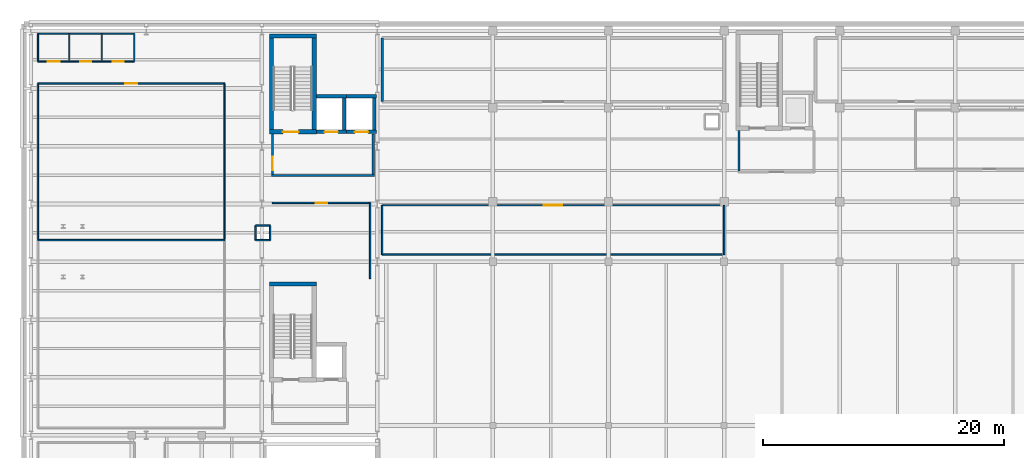
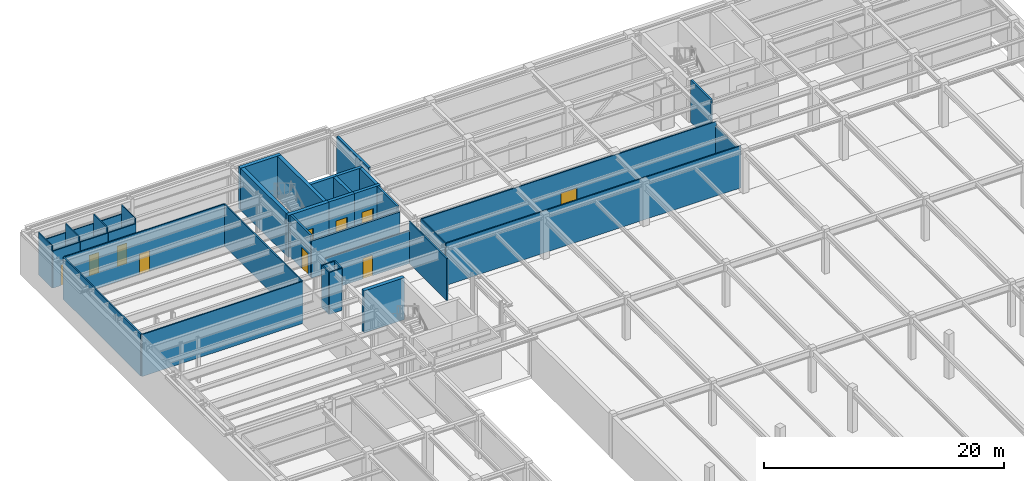
# One storey, part 22 of 32: 40 walls, 10 doors, 10 openings.
"""IFC4 building model written with IfcOpenShell, lengths in metres."""

from ifc_helpers import new_model, si_unit, direction, frame, frame_2d, origin, place, context, subcontext, project, spatial, rectangle, extrude, material, layer, layer_set, type_object, element, fill, save


model = new_model("IFC4")

# Units and contexts
model_context = context("Model", 3, precision=1e-05, world=origin(), true_north=direction((0.0, 1.0)))
body_context = subcontext(model_context, "Body", "Model", "MODEL_VIEW")
ifc_project = project(units=[si_unit("LENGTHUNIT", "METRE"), si_unit("AREAUNIT", "SQUARE_METRE"), si_unit("VOLUMEUNIT", "CUBIC_METRE"), si_unit("PLANEANGLEUNIT", "RADIAN"), si_unit("MASSUNIT", "GRAM", prefix="KILO")], contexts=[model_context])

# Site, building, storey
site_placement = place(None, origin())
site = spatial("IfcSite", under=ifc_project, at=site_placement, CompositionType="ELEMENT")
building_placement = place(site_placement, origin())
building = spatial("IfcBuilding", under=site, at=building_placement, Name="Nordkorset Police Headquarters", CompositionType="ELEMENT")
storey_placement = place(building_placement, frame((0.0, 0.0, -4.550048828125)))
storey = spatial("IfcBuildingStorey", under=building, at=storey_placement, Name="B01", CompositionType="ELEMENT", Elevation=-4.550048828125)

# Wall
ifc_material_1 = material(Name="Gypsum board", Category="gypsum")
ifc_layer_1 = layer(ifc_material_1, 0.179931640625, Name="Gypsum board")
ifc_layer_set_1 = layer_set([ifc_layer_1], Name="Gypsum board")
wall_type_1 = type_object("IfcWallType", Name="Wall_Comp_180", PredefinedType="PARTITIONING", material=ifc_layer_set_1)
wall_1_placement = place(storey_placement, frame((20.0, 104.760009765625, 0.0), z_axis=(0.0, 0.0, 1.0), x_axis=(1.0, 0.0, 0.0)))
element("IfcWall", 1, at=wall_1_placement, inside=storey, type_object=wall_type_1, Name="Firefighting Lobby EI 60 Wall K1 B01 S", PredefinedType="PARTITIONING", context=body_context, shape_type="SweptSolid", body=[
    extrude(rectangle(XDim=8.550048828125, YDim=0.179931640625, at=frame_2d((4.27490234375, 0.0))), origin(), (0.0, 0.0, 1.0), 3.760009765625),
])

# Wall, opening, door
wall_2_placement = place(storey_placement, frame((20.090087890625, 104.85009765625, 0.0), z_axis=(0.0, 0.0, 1.0), x_axis=(0.0, 1.0, 0.0)))
wall_2 = element("IfcWall", 2, at=wall_2_placement, inside=storey, type_object=wall_type_1, Name="Firefighting Lobby EI 60 Wall K1 B01 W", PredefinedType="PARTITIONING", context=body_context, shape_type="SweptSolid", body=[
    extrude(rectangle(XDim=3.375, YDim=0.179931640625, at=frame_2d((1.6875, 0.0))), origin(), (0.0, 0.0, 1.0), 4.280029296875),
])
opening_1_placement = place(wall_2_placement, frame((0.35009765625, 0.0, 0.0)))
opening_1 = element("IfcOpeningElement", 3, at=opening_1_placement, cuts=wall_2, Name="Opening DR-01", PredefinedType="OPENING", context=body_context, shape_type="SweptSolid", body=[
    extrude(rectangle(XDim=1.14990234375, YDim=2.14990234375, at=frame_2d((0.574951171875, 1.074951171875))), frame((0.0, 0.10009765625, 0.0), z_axis=(0.0, -1.0, 0.0), x_axis=(1.0, 0.0, 0.0)), (0.0, 0.0, 1.0), 0.199951171875),
])
ifc_material_2 = material(Name="Steel S355J2", Category="steel")
door_type_1 = type_object("IfcDoorType", Name="Door_LobbySingle_1150x2150", OperationType="NOTDEFINED", PredefinedType="DOOR", material=ifc_material_2)
door_1_placement = place(opening_1_placement, origin())
door_1 = element("IfcDoor", 4, at=door_1_placement, inside=storey, type_object=door_type_1, Name="Firefighting Lobby Smoke Door K1 B01 W", OperationType="SINGLE_SWING_LEFT", OverallHeight=2.14990234375, OverallWidth=1.14990234375, PredefinedType="DOOR", context=body_context, shape_type="SweptSolid", body=[
    extrude(rectangle(XDim=1.14990234375, YDim=2.14990234375, at=frame_2d((0.574951171875, 1.074951171875))), frame((0.0, 0.02490234375, 0.0), z_axis=(0.0, -1.0, 0.0), x_axis=(1.0, 0.0, 0.0)), (0.0, 0.0, 1.0), 0.050048828125),
])
fill(opening_1, door_1)

# Walls
for number, where, z_axis, x_axis, name in (
    (5, (28.4599609375, 104.85009765625, 0.0), (0.0, 0.0, 1.0), (0.0, 1.0, 0.0), "Firefighting Lobby EI 60 Wall K1 B01 E"),
    (6, (58.840087890625, 105.14990234375, 0.0), (0.0, 0.0, 1.0), (0.0, 1.0, 0.0), "Firefighting Lobby EI 60 Wall K2 B01 W"),
):
    element("IfcWall", number, at=place(storey_placement, frame(where, z_axis=z_axis, x_axis=x_axis)), inside=storey, type_object=wall_type_1, Name=name, PredefinedType="PARTITIONING", context=body_context, shape_type="SweptSolid", body=[
        extrude(rectangle(XDim=3.375, YDim=0.179931640625, at=frame_2d((1.6875, 0.0))), origin(), (0.0, 0.0, 1.0), 4.280029296875),
    ])
ifc_material_3 = material(Name="Gypsum board", Category="gypsum")
ifc_layer_2 = layer(ifc_material_3, 0.219970703125, Name="Gypsum board")
ifc_layer_set_2 = layer_set([ifc_layer_2], Name="Gypsum board")
wall_type_2 = type_object("IfcWallType", Name="Wall_Comp_220", PredefinedType="PARTITIONING", material=ifc_layer_set_2)
wall_3_placement = place(storey_placement, frame((29.199951171875, 116.199951171875, 0.0), z_axis=(0.0, 0.0, 1.0), x_axis=(0.0, -1.0, 0.0)))
element("IfcWall", 7, at=wall_3_placement, inside=storey, type_object=wall_type_2, Name="Interior Partition Wall Uninterruptible Power Supply Battery Room", PredefinedType="PARTITIONING", context=body_context, shape_type="SweptSolid", body=[
    extrude(rectangle(XDim=5.300048828125, YDim=0.219970703125, at=frame_2d((2.64990234375, 0.0))), origin(), (0.0, 0.0, 1.0), 4.280029296875),
])

# Wall, opening, door
ifc_material_4 = material(Name="Concrete C35/45", Category="concrete")
ifc_layer_3 = layer(ifc_material_4, 0.35009765625, Name="Concrete C35/45")
ifc_layer_set_3 = layer_set([ifc_layer_3], Name="Concrete C35/45")
wall_type_3 = type_object("IfcWallType", Name="Wall_CoreShear_350", PredefinedType="SHEAR", material=ifc_layer_set_3)
wall_4_placement = place(storey_placement, frame((19.824951171875, 108.39990234375, 0.0), z_axis=(0.0, 0.0, 1.0), x_axis=(1.0, 0.0, 0.0)))
wall_4 = element("IfcWall", 8, at=wall_4_placement, inside=storey, type_object=wall_type_3, Name="Core K1 Stair Shaft South Shear Wall B01", PredefinedType="SHEAR", context=body_context, shape_type="SweptSolid", body=[
    extrude(rectangle(XDim=3.900146484375, YDim=0.35009765625, at=frame_2d((1.9501953125, 0.0))), origin(), (0.0, 0.0, 1.0), 4.280029296875),
])
opening_2_placement = place(wall_4_placement, frame((1.125, 0.0, 0.0)))
opening_2 = element("IfcOpeningElement", 9, at=opening_2_placement, cuts=wall_4, Name="Opening DR-20", PredefinedType="OPENING", context=body_context, shape_type="SweptSolid", body=[
    extrude(rectangle(XDim=1.300048828125, YDim=2.14990234375, at=frame_2d((0.64990234375, 1.074951171875))), frame((0.0, 0.18505859375, 0.0), z_axis=(0.0, -1.0, 0.0), x_axis=(1.0, 0.0, 0.0)), (0.0, 0.0, 1.0), 0.3701171875),
])
ifc_material_5 = material(Name="Steel S355J2", Category="steel")
door_type_2 = type_object("IfcDoorType", Name="Door_Stair_1300x2150", OperationType="NOTDEFINED", PredefinedType="DOOR", material=ifc_material_5)
door_2_placement = place(opening_2_placement, frame((1.300048828125, 0.0, 0.0), z_axis=(0.0, 0.0, 1.0), x_axis=(-1.0, 0.0, 0.0)))
door_2 = element("IfcDoor", 10, at=door_2_placement, inside=storey, type_object=door_type_2, Name="Protected Stair Fire Door ST-01 B01", OperationType="SINGLE_SWING_RIGHT", OverallHeight=2.14990234375, OverallWidth=1.300048828125, PredefinedType="DOOR", context=body_context, shape_type="SweptSolid", body=[
    extrude(rectangle(XDim=1.300048828125, YDim=2.14990234375, at=frame_2d((0.64990234375, 1.074951171875))), frame((0.0, 0.02490234375, 0.0), z_axis=(0.0, -1.0, 0.0), x_axis=(1.0, 0.0, 0.0)), (0.0, 0.0, 1.0), 0.050048828125),
])
fill(opening_2, door_2)

# Walls
wall_5_placement = place(storey_placement, frame((19.824951171875, 116.35009765625, 0.0), z_axis=(0.0, 0.0, 1.0), x_axis=(1.0, 0.0, 0.0)))
element("IfcWall", 11, at=wall_5_placement, inside=storey, type_object=wall_type_3, Name="Core K1 Stair Shaft North Shear Wall B01", PredefinedType="SHEAR", context=body_context, shape_type="SweptSolid", body=[
    extrude(rectangle(XDim=3.900146484375, YDim=0.35009765625, at=frame_2d((1.9501953125, 0.0))), origin(), (0.0, 0.0, 1.0), 4.280029296875),
])
for number, where, z_axis, x_axis, name in (
    (12, (20.0, 108.574951171875, 0.0), (0.0, 0.0, 1.0), (0.0, 1.0, 0.0), "Core K1 Stair Shaft West Shear Wall B01"),
    (13, (23.550048828125, 108.574951171875, 0.0), (0.0, 0.0, 1.0), (0.0, 1.0, 0.0), "Core K1 Stair Shaft East Shear Wall B01"),
):
    element("IfcWall", number, at=place(storey_placement, frame(where, z_axis=z_axis, x_axis=x_axis)), inside=storey, type_object=wall_type_3, Name=name, PredefinedType="SHEAR", context=body_context, shape_type="SweptSolid", body=[
        extrude(rectangle(XDim=7.60009765625, YDim=0.35009765625, at=frame_2d((3.800048828125, 0.0))), origin(), (0.0, 0.0, 1.0), 4.280029296875),
    ])
wall_6_placement = place(storey_placement, frame((19.824951171875, 95.75, 0.0), z_axis=(0.0, 0.0, 1.0), x_axis=(1.0, 0.0, 0.0)))
element("IfcWall", 14, at=wall_6_placement, inside=storey, type_object=wall_type_3, Name="Core K3 Stair Shaft North Shear Wall B01", PredefinedType="SHEAR", context=body_context, shape_type="SweptSolid", body=[
    extrude(rectangle(XDim=3.900146484375, YDim=0.35009765625, at=frame_2d((1.9501953125, 0.0))), origin(), (0.0, 0.0, 1.0), 4.280029296875),
])

# Wall, opening, door
ifc_material_6 = material(Name="Gypsum board", Category="gypsum")
ifc_layer_4 = layer(ifc_material_6, 0.10009765625, Name="Gypsum board")
ifc_layer_set_4 = layer_set([ifc_layer_4], Name="Gypsum board")
wall_type_4 = type_object("IfcWallType", Name="Wall_Part_100", PredefinedType="PARTITIONING", material=ifc_layer_set_4)
wall_7_placement = place(storey_placement, frame((0.60009765625, 114.25, 0.0), z_axis=(0.0, 0.0, 1.0), x_axis=(1.0, 0.0, 0.0)))
wall_7 = element("IfcWall", 15, at=wall_7_placement, inside=storey, type_object=wall_type_4, Name="Interior Partition Wall Accessible WC B01W", PredefinedType="PARTITIONING", context=body_context, shape_type="SweptSolid", body=[
    extrude(rectangle(XDim=2.599853515625, YDim=0.10009765625, at=frame_2d((1.2998046875, 0.0))), origin(), (0.0, 0.0, 1.0), 3.760009765625),
])
opening_3_placement = place(wall_7_placement, frame((0.800048828125, 0.0, 0.0)))
opening_3 = element("IfcOpeningElement", 16, at=opening_3_placement, cuts=wall_7, Name="Opening DR-23", PredefinedType="OPENING", context=body_context, shape_type="SweptSolid", body=[
    extrude(rectangle(XDim=1.0, YDim=2.080078125, at=frame_2d((0.5, 1.0400390625))), frame((0.0, 0.06005859375, 0.0), z_axis=(0.0, -1.0, 0.0), x_axis=(1.0, 0.0, 0.0)), (0.0, 0.0, 1.0), 0.1201171875),
])
ifc_material_7 = material(Name="Glulam GL30c", Category="wood")
door_type_3 = type_object("IfcDoorType", Name="Door_WCAccess_1000x2080", OperationType="NOTDEFINED", PredefinedType="DOOR", material=ifc_material_7)
door_3_placement = place(opening_3_placement, frame((1.0, 0.0, 0.0), z_axis=(0.0, 0.0, 1.0), x_axis=(-1.0, 0.0, 0.0)))
door_3 = element("IfcDoor", 17, at=door_3_placement, inside=storey, type_object=door_type_3, Name="Interior Door Accessible WC B01W", OperationType="SINGLE_SWING_RIGHT", OverallHeight=2.080078125, OverallWidth=1.0, PredefinedType="DOOR", context=body_context, shape_type="SweptSolid", body=[
    extrude(rectangle(XDim=1.0, YDim=2.080078125, at=frame_2d((0.5, 1.0400390625))), frame((0.0, 0.02490234375, 0.0), z_axis=(0.0, -1.0, 0.0), x_axis=(1.0, 0.0, 0.0)), (0.0, 0.0, 1.0), 0.050048828125),
])
fill(opening_3, door_3)

# Walls
wall_8_placement = place(storey_placement, frame((3.199951171875, 114.25, 0.0), z_axis=(0.0, 0.0, 1.0), x_axis=(0.0, 1.0, 0.0)))
element("IfcWall", 18, at=wall_8_placement, inside=storey, type_object=wall_type_4, Name="Interior Partition Wall Accessible WC B01W", PredefinedType="PARTITIONING", context=body_context, shape_type="SweptSolid", body=[
    extrude(rectangle(XDim=2.300048828125, YDim=0.10009765625, at=frame_2d((1.14990234375, 0.0))), origin(), (0.0, 0.0, 1.0), 4.280029296875),
])
wall_9_placement = place(storey_placement, frame((3.199951171875, 116.550048828125, 0.0), z_axis=(0.0, 0.0, 1.0), x_axis=(-1.0, 0.0, 0.0)))
element("IfcWall", 19, at=wall_9_placement, inside=storey, type_object=wall_type_4, Name="Interior Partition Wall Accessible WC B01W", PredefinedType="PARTITIONING", context=body_context, shape_type="SweptSolid", body=[
    extrude(rectangle(XDim=2.599853515625, YDim=0.10009765625, at=frame_2d((1.2998046875, 0.0))), origin(), (0.0, 0.0, 1.0), 3.360107421875),
])
wall_10_placement = place(storey_placement, frame((0.60009765625, 116.550048828125, 0.0), z_axis=(0.0, 0.0, 1.0), x_axis=(0.0, -1.0, 0.0)))
element("IfcWall", 20, at=wall_10_placement, inside=storey, type_object=wall_type_4, Name="Interior Partition Wall Accessible WC B01W", PredefinedType="PARTITIONING", context=body_context, shape_type="SweptSolid", body=[
    extrude(rectangle(XDim=2.300048828125, YDim=0.10009765625, at=frame_2d((1.14990234375, 0.0))), origin(), (0.0, 0.0, 1.0), 4.280029296875),
])

# Wall, opening, door
wall_11_placement = place(storey_placement, frame((3.2451171875, 114.25, 0.0), z_axis=(0.0, 0.0, 1.0), x_axis=(1.0, 0.0, 0.0)))
wall_11 = element("IfcWall", 21, at=wall_11_placement, inside=storey, type_object=wall_type_4, Name="Interior Partition Wall Staff Female WC B01W", PredefinedType="PARTITIONING", context=body_context, shape_type="SweptSolid", body=[
    extrude(rectangle(XDim=2.65478515625, YDim=0.10009765625, at=frame_2d((1.327392578125, 0.0))), origin(), (0.0, 0.0, 1.0), 3.760009765625),
])
opening_4_placement = place(wall_11_placement, frame((0.867431640625, 0.0, 0.0)))
opening_4 = element("IfcOpeningElement", 22, at=opening_4_placement, cuts=wall_11, Name="Opening DR-21", PredefinedType="OPENING", context=body_context, shape_type="SweptSolid", body=[
    extrude(rectangle(XDim=0.919921875, YDim=2.080078125, at=frame_2d((0.4599609375, 1.0400390625))), frame((0.0, 0.06005859375, 0.0), z_axis=(0.0, -1.0, 0.0), x_axis=(1.0, 0.0, 0.0)), (0.0, 0.0, 1.0), 0.1201171875),
])
ifc_material_8 = material(Name="Glulam GL30c", Category="wood")
door_type_4 = type_object("IfcDoorType", Name="Door_WCStaff_920x2080", OperationType="NOTDEFINED", PredefinedType="DOOR", material=ifc_material_8)
door_4_placement = place(opening_4_placement, origin())
door_4 = element("IfcDoor", 23, at=door_4_placement, inside=storey, type_object=door_type_4, Name="Interior Door Staff Female WC B01W", OperationType="SINGLE_SWING_LEFT", OverallHeight=2.080078125, OverallWidth=0.919921875, PredefinedType="DOOR", context=body_context, shape_type="SweptSolid", body=[
    extrude(rectangle(XDim=0.919921875, YDim=2.080078125, at=frame_2d((0.4599609375, 1.0400390625))), frame((0.0, 0.02490234375, 0.0), z_axis=(0.0, -1.0, 0.0), x_axis=(1.0, 0.0, 0.0)), (0.0, 0.0, 1.0), 0.050048828125),
])
fill(opening_4, door_4)

# Walls
wall_12_placement = place(storey_placement, frame((5.89990234375, 114.25, 0.0), z_axis=(0.0, 0.0, 1.0), x_axis=(0.0, 1.0, 0.0)))
element("IfcWall", 24, at=wall_12_placement, inside=storey, type_object=wall_type_4, Name="Interior Partition Wall Staff Female WC B01W", PredefinedType="PARTITIONING", context=body_context, shape_type="SweptSolid", body=[
    extrude(rectangle(XDim=2.300048828125, YDim=0.10009765625, at=frame_2d((1.14990234375, 0.0))), origin(), (0.0, 0.0, 1.0), 4.280029296875),
])
wall_13_placement = place(storey_placement, frame((5.89990234375, 116.550048828125, 0.0), z_axis=(0.0, 0.0, 1.0), x_axis=(-1.0, 0.0, 0.0)))
element("IfcWall", 25, at=wall_13_placement, inside=storey, type_object=wall_type_4, Name="Interior Partition Wall Staff Female WC B01W", PredefinedType="PARTITIONING", context=body_context, shape_type="SweptSolid", body=[
    extrude(rectangle(XDim=2.65478515625, YDim=0.10009765625, at=frame_2d((1.327392578125, 0.0))), origin(), (0.0, 0.0, 1.0), 3.360107421875),
])

# Wall, opening, door
wall_14_placement = place(storey_placement, frame((5.945068359375, 114.25, 0.0), z_axis=(0.0, 0.0, 1.0), x_axis=(1.0, 0.0, 0.0)))
wall_14 = element("IfcWall", 26, at=wall_14_placement, inside=storey, type_object=wall_type_4, Name="Interior Partition Wall Staff Male WC B01W", PredefinedType="PARTITIONING", context=body_context, shape_type="SweptSolid", body=[
    extrude(rectangle(XDim=2.655029296875, YDim=0.10009765625, at=frame_2d((1.32763671875, 0.0))), origin(), (0.0, 0.0, 1.0), 3.760009765625),
])
opening_5_placement = place(wall_14_placement, frame((0.867431640625, 0.0, 0.0)))
opening_5 = element("IfcOpeningElement", 27, at=opening_5_placement, cuts=wall_14, Name="Opening DR-21", PredefinedType="OPENING", context=body_context, shape_type="SweptSolid", body=[
    extrude(rectangle(XDim=0.919921875, YDim=2.080078125, at=frame_2d((0.4599609375, 1.0400390625))), frame((0.0, 0.06005859375, 0.0), z_axis=(0.0, -1.0, 0.0), x_axis=(1.0, 0.0, 0.0)), (0.0, 0.0, 1.0), 0.1201171875),
])
door_5_placement = place(opening_5_placement, frame((0.919921875, 0.0, 0.0), z_axis=(0.0, 0.0, 1.0), x_axis=(-1.0, 0.0, 0.0)))
door_5 = element("IfcDoor", 28, at=door_5_placement, inside=storey, type_object=door_type_4, Name="Interior Door Staff Male WC B01W", OperationType="SINGLE_SWING_RIGHT", OverallHeight=2.080078125, OverallWidth=0.919921875, PredefinedType="DOOR", context=body_context, shape_type="SweptSolid", body=[
    extrude(rectangle(XDim=0.919921875, YDim=2.080078125, at=frame_2d((0.4599609375, 1.0400390625))), frame((0.0, 0.02490234375, 0.0), z_axis=(0.0, -1.0, 0.0), x_axis=(1.0, 0.0, 0.0)), (0.0, 0.0, 1.0), 0.050048828125),
])
fill(opening_5, door_5)

# Walls
wall_15_placement = place(storey_placement, frame((8.60009765625, 114.25, 0.0), z_axis=(0.0, 0.0, 1.0), x_axis=(0.0, 1.0, 0.0)))
element("IfcWall", 29, at=wall_15_placement, inside=storey, type_object=wall_type_4, Name="Interior Partition Wall Staff Male WC B01W", PredefinedType="PARTITIONING", context=body_context, shape_type="SweptSolid", body=[
    extrude(rectangle(XDim=2.300048828125, YDim=0.10009765625, at=frame_2d((1.14990234375, 0.0))), origin(), (0.0, 0.0, 1.0), 4.280029296875),
])
wall_16_placement = place(storey_placement, frame((8.60009765625, 116.550048828125, 0.0), z_axis=(0.0, 0.0, 1.0), x_axis=(-1.0, 0.0, 0.0)))
element("IfcWall", 30, at=wall_16_placement, inside=storey, type_object=wall_type_4, Name="Interior Partition Wall Staff Male WC B01W", PredefinedType="PARTITIONING", context=body_context, shape_type="SweptSolid", body=[
    extrude(rectangle(XDim=2.655029296875, YDim=0.10009765625, at=frame_2d((1.32763671875, 0.0))), origin(), (0.0, 0.0, 1.0), 3.360107421875),
])
ifc_material_9 = material(Name="Gypsum board", Category="gypsum")
ifc_layer_5 = layer(ifc_material_9, 0.1201171875, Name="Gypsum board")
ifc_layer_set_5 = layer_set([ifc_layer_5], Name="Gypsum board")
wall_type_5 = type_object("IfcWallType", Name="Wall_Part_120", PredefinedType="PARTITIONING", material=ifc_layer_set_5)
wall_17_placement = place(storey_placement, frame((16.10009765625, 99.39990234375, 0.0), z_axis=(0.0, 0.0, 1.0), x_axis=(-1.0, 0.0, 0.0)))
element("IfcWall", 31, at=wall_17_placement, inside=storey, type_object=wall_type_5, Name="Interior Partition Wall Patrol Shift Mustering Room", PredefinedType="PARTITIONING", context=body_context, shape_type="SweptSolid", body=[
    extrude(rectangle(XDim=15.5, YDim=0.1201171875, at=frame_2d((7.75, 0.0))), origin(), (0.0, 0.0, 1.0), 4.280029296875),
])
wall_18_placement = place(storey_placement, frame((16.10009765625, 99.455078125, 0.0), z_axis=(0.0, 0.0, 1.0), x_axis=(0.0, 1.0, 0.0)))
element("IfcWall", 32, at=wall_18_placement, inside=storey, type_object=wall_type_5, Name="Interior Partition Wall Patrol Officer Locker and Shower Suite", PredefinedType="PARTITIONING", context=body_context, shape_type="SweptSolid", body=[
    extrude(rectangle(XDim=12.94482421875, YDim=0.1201171875, at=frame_2d((6.472412109375, 0.0))), origin(), (0.0, 0.0, 1.0), 4.280029296875),
])

# Wall, opening, door
wall_19_placement = place(storey_placement, frame((16.10009765625, 112.39990234375, 0.0), z_axis=(0.0, 0.0, 1.0), x_axis=(-1.0, 0.0, 0.0)))
wall_19 = element("IfcWall", 33, at=wall_19_placement, inside=storey, type_object=wall_type_5, Name="Interior Partition Wall Patrol Officer Locker and Shower Suite", PredefinedType="PARTITIONING", context=body_context, shape_type="SweptSolid", body=[
    extrude(rectangle(XDim=15.5, YDim=0.1201171875, at=frame_2d((7.75, 0.0))), origin(), (0.0, 0.0, 1.0), 4.280029296875),
])
opening_6_placement = place(wall_19_placement, frame((7.27001953125, 0.0, 0.0)))
opening_6 = element("IfcOpeningElement", 34, at=opening_6_placement, cuts=wall_19, Name="Opening DR-08", PredefinedType="OPENING", context=body_context, shape_type="SweptSolid", body=[
    extrude(rectangle(XDim=0.9599609375, YDim=2.080078125, at=frame_2d((0.47998046875, 1.0400390625))), frame((0.0, 0.070068359375, 0.0), z_axis=(0.0, -1.0, 0.0), x_axis=(1.0, 0.0, 0.0)), (0.0, 0.0, 1.0), 0.14013671875),
])
ifc_material_10 = material(Name="Glulam GL30c", Category="wood")
door_type_5 = type_object("IfcDoorType", Name="Door_Welfare_960x2080", OperationType="NOTDEFINED", PredefinedType="DOOR", material=ifc_material_10)
door_6_placement = place(opening_6_placement, origin())
door_6 = element("IfcDoor", 35, at=door_6_placement, inside=storey, type_object=door_type_5, Name="Interior Door Patrol Officer Locker and Shower Suite", OperationType="SINGLE_SWING_LEFT", OverallHeight=2.080078125, OverallWidth=0.9599609375, PredefinedType="DOOR", context=body_context, shape_type="SweptSolid", body=[
    extrude(rectangle(XDim=0.9599609375, YDim=2.080078125, at=frame_2d((0.47998046875, 1.0400390625))), frame((0.0, 0.02490234375, 0.0), z_axis=(0.0, -1.0, 0.0), x_axis=(1.0, 0.0, 0.0)), (0.0, 0.0, 1.0), 0.050048828125),
])
fill(opening_6, door_6)

# Walls
wall_20_placement = place(storey_placement, frame((0.60009765625, 112.39990234375, 0.0), z_axis=(0.0, 0.0, 1.0), x_axis=(0.0, -1.0, 0.0)))
element("IfcWall", 36, at=wall_20_placement, inside=storey, type_object=wall_type_5, Name="Interior Partition Wall Patrol Officer Locker and Shower Suite", PredefinedType="PARTITIONING", context=body_context, shape_type="SweptSolid", body=[
    extrude(rectangle(XDim=12.94482421875, YDim=0.1201171875, at=frame_2d((6.472412109375, 0.0))), origin(), (0.0, 0.0, 1.0), 4.280029296875),
])
wall_21_placement = place(storey_placement, frame((28.199951171875, 96.199951171875, 0.0), z_axis=(0.0, 0.0, 1.0), x_axis=(0.0, 1.0, 0.0)))
element("IfcWall", 37, at=wall_21_placement, inside=storey, type_object=wall_type_5, Name="Interior Partition Wall Tactical Gear Drying Room", PredefinedType="PARTITIONING", context=body_context, shape_type="SweptSolid", body=[
    extrude(rectangle(XDim=6.300048828125, YDim=0.1201171875, at=frame_2d((3.14990234375, 0.0))), origin(), (0.0, 0.0, 1.0), 4.280029296875),
])

# Wall, opening, door
wall_22_placement = place(storey_placement, frame((28.199951171875, 102.5, 0.0), z_axis=(0.0, 0.0, 1.0), x_axis=(-1.0, 0.0, 0.0)))
wall_22 = element("IfcWall", 38, at=wall_22_placement, inside=storey, type_object=wall_type_5, Name="Interior Partition Wall Tactical Gear Drying Room", PredefinedType="PARTITIONING", context=body_context, shape_type="SweptSolid", body=[
    extrude(rectangle(XDim=8.119873046875, YDim=0.1201171875, at=frame_2d((4.06005859375, 0.0))), origin(), (0.0, 0.0, 1.0), 3.360107421875),
])
opening_7_placement = place(wall_22_placement, frame((3.580078125, 0.0, 0.0)))
opening_7 = element("IfcOpeningElement", 39, at=opening_7_placement, cuts=wall_22, Name="Opening DR-08", PredefinedType="OPENING", context=body_context, shape_type="SweptSolid", body=[
    extrude(rectangle(XDim=0.9599609375, YDim=2.080078125, at=frame_2d((0.47998046875, 1.0400390625))), frame((0.0, 0.070068359375, 0.0), z_axis=(0.0, -1.0, 0.0), x_axis=(1.0, 0.0, 0.0)), (0.0, 0.0, 1.0), 0.14013671875),
])
door_7_placement = place(opening_7_placement, origin())
door_7 = element("IfcDoor", 40, at=door_7_placement, inside=storey, type_object=door_type_5, Name="Interior Door Tactical Gear Drying Room", OperationType="SINGLE_SWING_LEFT", OverallHeight=2.080078125, OverallWidth=0.9599609375, PredefinedType="DOOR", context=body_context, shape_type="SweptSolid", body=[
    extrude(rectangle(XDim=0.9599609375, YDim=2.080078125, at=frame_2d((0.47998046875, 1.0400390625))), frame((0.0, 0.02490234375, 0.0), z_axis=(0.0, -1.0, 0.0), x_axis=(1.0, 0.0, 0.0)), (0.0, 0.0, 1.0), 0.050048828125),
])
fill(opening_7, door_7)

# Walls
wall_23_placement = place(storey_placement, frame((29.199951171875, 98.199951171875, 0.0), z_axis=(0.0, 0.0, 1.0), x_axis=(1.0, 0.0, 0.0)))
element("IfcWall", 41, at=wall_23_placement, inside=storey, type_object=wall_type_5, Name="Interior Partition Wall K9 Unit Support and Equipment Store", PredefinedType="PARTITIONING", context=body_context, shape_type="SweptSolid", body=[
    extrude(rectangle(XDim=28.400146484375, YDim=0.1201171875, at=frame_2d((14.2001953125, 0.0))), origin(), (0.0, 0.0, 1.0), 4.280029296875),
])
wall_24_placement = place(storey_placement, frame((57.60009765625, 98.199951171875, 0.0), z_axis=(0.0, 0.0, 1.0), x_axis=(0.0, 1.0, 0.0)))
element("IfcWall", 42, at=wall_24_placement, inside=storey, type_object=wall_type_5, Name="Interior Partition Wall K9 Unit Support and Equipment Store", PredefinedType="PARTITIONING", context=body_context, shape_type="SweptSolid", body=[
    extrude(rectangle(XDim=4.10009765625, YDim=0.1201171875, at=frame_2d((2.050048828125, 0.0))), origin(), (0.0, 0.0, 1.0), 3.820068359375),
])

# Wall, opening, door
wall_25_placement = place(storey_placement, frame((57.60009765625, 102.300048828125, 0.0), z_axis=(0.0, 0.0, 1.0), x_axis=(-1.0, 0.0, 0.0)))
wall_25 = element("IfcWall", 43, at=wall_25_placement, inside=storey, type_object=wall_type_5, Name="Interior Partition Wall K9 Unit Support and Equipment Store", PredefinedType="PARTITIONING", context=body_context, shape_type="SweptSolid", body=[
    extrude(rectangle(XDim=28.400146484375, YDim=0.1201171875, at=frame_2d((14.2001953125, 0.0))), origin(), (0.0, 0.0, 1.0), 4.280029296875),
])
opening_8_placement = place(wall_25_placement, frame((13.429931640625, 0.0, 0.0)))
opening_8 = element("IfcOpeningElement", 44, at=opening_8_placement, cuts=wall_25, Name="Opening DR-03", PredefinedType="OPENING", context=body_context, shape_type="SweptSolid", body=[
    extrude(rectangle(XDim=1.5400390625, YDim=2.199951171875, at=frame_2d((0.77001953125, 1.10009765625))), frame((0.0, 0.070068359375, 0.0), z_axis=(0.0, -1.0, 0.0), x_axis=(1.0, 0.0, 0.0)), (0.0, 0.0, 1.0), 0.14013671875),
])
ifc_material_11 = material(Name="Steel S355J2", Category="steel")
door_type_6 = type_object("IfcDoorType", Name="Door_Workshop_1540x2200", OperationType="DOUBLE_DOOR_SINGLE_SWING", PredefinedType="DOOR", material=ifc_material_11)
door_8_placement = place(opening_8_placement, frame((1.5400390625, 0.0, 0.0), z_axis=(0.0, 0.0, 1.0), x_axis=(-1.0, 0.0, 0.0)))
door_8 = element("IfcDoor", 45, at=door_8_placement, inside=storey, type_object=door_type_6, Name="Interior Door K9 Unit Support and Equipment Store", OperationType="DOUBLE_DOOR_SINGLE_SWING", OverallHeight=2.199951171875, OverallWidth=1.5400390625, PredefinedType="DOOR", context=body_context, shape_type="SweptSolid", body=[
    extrude(rectangle(XDim=1.5400390625, YDim=2.199951171875, at=frame_2d((0.77001953125, 1.10009765625))), frame((0.0, 0.02490234375, 0.0), z_axis=(0.0, -1.0, 0.0), x_axis=(1.0, 0.0, 0.0)), (0.0, 0.0, 1.0), 0.050048828125),
])
fill(opening_8, door_8)

# Walls
wall_26_placement = place(storey_placement, frame((29.199951171875, 102.300048828125, 0.0), z_axis=(0.0, 0.0, 1.0), x_axis=(0.0, -1.0, 0.0)))
element("IfcWall", 46, at=wall_26_placement, inside=storey, type_object=wall_type_5, Name="Interior Partition Wall K9 Unit Support and Equipment Store", PredefinedType="PARTITIONING", context=body_context, shape_type="SweptSolid", body=[
    extrude(rectangle(XDim=4.10009765625, YDim=0.1201171875, at=frame_2d((2.050048828125, 0.0))), origin(), (0.0, 0.0, 1.0), 4.280029296875),
])
ifc_material_12 = material(Name="Gypsum board", Category="gypsum")
ifc_layer_6 = layer(ifc_material_12, 0.125, Name="Gypsum board")
ifc_layer_set_6 = layer_set([ifc_layer_6], Name="Gypsum board")
wall_type_6 = type_object("IfcWallType", Name="Wall_Riser_125", PredefinedType="PARTITIONING", material=ifc_layer_set_6)
wall_27_placement = place(storey_placement, frame((18.679931640625, 99.39990234375, 0.0), z_axis=(0.0, 0.0, 1.0), x_axis=(1.0, 0.0, 0.0)))
element("IfcWall", 47, at=wall_27_placement, inside=storey, type_object=wall_type_6, Name="Service Riser Enclosure RSR-V1 B01", PredefinedType="PARTITIONING", context=body_context, shape_type="SweptSolid", body=[
    extrude(rectangle(XDim=1.199951171875, YDim=0.125, at=frame_2d((0.60009765625, 0.0))), origin(), (0.0, 0.0, 1.0), 4.280029296875),
])
wall_28_placement = place(storey_placement, frame((19.8798828125, 99.39990234375, 0.0), z_axis=(0.0, 0.0, 1.0), x_axis=(0.0, 1.0, 0.0)))
element("IfcWall", 48, at=wall_28_placement, inside=storey, type_object=wall_type_6, Name="Service Riser Enclosure RSR-V1 B01", PredefinedType="PARTITIONING", context=body_context, shape_type="SweptSolid", body=[
    extrude(rectangle(XDim=1.2001953125, YDim=0.125, at=frame_2d((0.60009765625, 0.0))), origin(), (0.0, 0.0, 1.0), 4.280029296875),
])
wall_29_placement = place(storey_placement, frame((19.8798828125, 100.60009765625, 0.0), z_axis=(0.0, 0.0, 1.0), x_axis=(-1.0, 0.0, 0.0)))
element("IfcWall", 49, at=wall_29_placement, inside=storey, type_object=wall_type_6, Name="Service Riser Enclosure RSR-V1 B01", PredefinedType="PARTITIONING", context=body_context, shape_type="SweptSolid", body=[
    extrude(rectangle(XDim=1.199951171875, YDim=0.125, at=frame_2d((0.60009765625, 0.0))), origin(), (0.0, 0.0, 1.0), 4.280029296875),
])
wall_30_placement = place(storey_placement, frame((18.679931640625, 100.60009765625, 0.0), z_axis=(0.0, 0.0, 1.0), x_axis=(0.0, -1.0, 0.0)))
element("IfcWall", 50, at=wall_30_placement, inside=storey, type_object=wall_type_6, Name="Service Riser Enclosure RSR-V1 B01", PredefinedType="PARTITIONING", context=body_context, shape_type="SweptSolid", body=[
    extrude(rectangle(XDim=1.2001953125, YDim=0.125, at=frame_2d((0.60009765625, 0.0))), origin(), (0.0, 0.0, 1.0), 4.280029296875),
])

# Wall, opening, door
ifc_material_13 = material(Name="Concrete C35/45", Category="concrete")
ifc_layer_7 = layer(ifc_material_13, 0.300048828125, Name="Concrete C35/45")
ifc_layer_set_7 = layer_set([ifc_layer_7], Name="Concrete C35/45")
wall_type_7 = type_object("IfcWallType", Name="Wall_ShaftShear_300", PredefinedType="SHEAR", material=ifc_layer_set_7)
wall_31_placement = place(storey_placement, frame((23.72509765625, 108.39990234375, 0.0), z_axis=(0.0, 0.0, 1.0), x_axis=(1.0, 0.0, 0.0)))
wall_31 = element("IfcWall", 51, at=wall_31_placement, inside=storey, type_object=wall_type_7, Name="Lift Shaft LF-01 Front Shear Wall B01", PredefinedType="SHEAR", context=body_context, shape_type="SweptSolid", body=[
    extrude(rectangle(XDim=2.5, YDim=0.300048828125, at=frame_2d((1.25, 0.0))), origin(), (0.0, 0.0, 1.0), 4.280029296875),
])
opening_9_placement = place(wall_31_placement, frame((0.699951171875, 0.0, 0.0)))
opening_9 = element("IfcOpeningElement", 52, at=opening_9_placement, cuts=wall_31, Name="Opening LD-01", PredefinedType="OPENING", context=body_context, shape_type="SweptSolid", body=[
    extrude(rectangle(XDim=1.10009765625, YDim=2.10009765625, at=frame_2d((0.550048828125, 1.050048828125))), frame((0.0, 0.16015625, 0.0), z_axis=(0.0, -1.0, 0.0), x_axis=(1.0, 0.0, 0.0)), (0.0, 0.0, 1.0), 0.320068359375),
])
ifc_material_14 = material(Name="Steel S355J2", Category="steel")
door_type_7 = type_object("IfcDoorType", Name="Door_LiftLanding_1100x2100", OperationType="SLIDING_TO_LEFT", PredefinedType="DOOR", material=ifc_material_14)
door_9_placement = place(opening_9_placement, frame((1.10009765625, 0.0, 0.0), z_axis=(0.0, 0.0, 1.0), x_axis=(-1.0, 0.0, 0.0)))
door_9 = element("IfcDoor", 53, at=door_9_placement, inside=storey, type_object=door_type_7, Name="Lift Landing Sliding Door LF-01 B01", OperationType="SLIDING_TO_LEFT", OverallHeight=2.10009765625, OverallWidth=1.10009765625, PredefinedType="DOOR", context=body_context, shape_type="SweptSolid", body=[
    extrude(rectangle(XDim=1.10009765625, YDim=2.10009765625, at=frame_2d((0.550048828125, 1.050048828125))), frame((0.0, 0.02490234375, 0.0), z_axis=(0.0, -1.0, 0.0), x_axis=(1.0, 0.0, 0.0)), (0.0, 0.0, 1.0), 0.050048828125),
])
fill(opening_9, door_9)

# Walls
wall_32_placement = place(storey_placement, frame((23.72509765625, 111.35009765625, 0.0), z_axis=(0.0, 0.0, 1.0), x_axis=(1.0, 0.0, 0.0)))
element("IfcWall", 54, at=wall_32_placement, inside=storey, type_object=wall_type_7, Name="Lift Shaft LF-01 Rear Shear Wall B01", PredefinedType="SHEAR", context=body_context, shape_type="SweptSolid", body=[
    extrude(rectangle(XDim=2.5, YDim=0.300048828125, at=frame_2d((1.25, 0.0))), origin(), (0.0, 0.0, 1.0), 4.280029296875),
])
wall_33_placement = place(storey_placement, frame((26.050048828125, 108.550048828125, 0.0), z_axis=(0.0, 0.0, 1.0), x_axis=(0.0, 1.0, 0.0)))
element("IfcWall", 55, at=wall_33_placement, inside=storey, type_object=wall_type_7, Name="Lift Shaft LF-01 East Shear Wall B01", PredefinedType="SHEAR", context=body_context, shape_type="SweptSolid", body=[
    extrude(rectangle(XDim=2.64990234375, YDim=0.300048828125, at=frame_2d((1.324951171875, 0.0))), origin(), (0.0, 0.0, 1.0), 4.280029296875),
])

# Wall, opening, door
wall_34_placement = place(storey_placement, frame((26.22509765625, 108.39990234375, 0.0), z_axis=(0.0, 0.0, 1.0), x_axis=(1.0, 0.0, 0.0)))
wall_34 = element("IfcWall", 56, at=wall_34_placement, inside=storey, type_object=wall_type_7, Name="Lift Shaft LF-02 Front Shear Wall B01", PredefinedType="SHEAR", context=body_context, shape_type="SweptSolid", body=[
    extrude(rectangle(XDim=2.5, YDim=0.300048828125, at=frame_2d((1.25, 0.0))), origin(), (0.0, 0.0, 1.0), 4.280029296875),
])
opening_10_placement = place(wall_34_placement, frame((0.699951171875, 0.0, 0.0)))
opening_10 = element("IfcOpeningElement", 57, at=opening_10_placement, cuts=wall_34, Name="Opening LD-02", PredefinedType="OPENING", context=body_context, shape_type="SweptSolid", body=[
    extrude(rectangle(XDim=1.10009765625, YDim=2.10009765625, at=frame_2d((0.550048828125, 1.050048828125))), frame((0.0, 0.16015625, 0.0), z_axis=(0.0, -1.0, 0.0), x_axis=(1.0, 0.0, 0.0)), (0.0, 0.0, 1.0), 0.320068359375),
])
door_10_placement = place(opening_10_placement, frame((1.10009765625, 0.0, 0.0), z_axis=(0.0, 0.0, 1.0), x_axis=(-1.0, 0.0, 0.0)))
door_10 = element("IfcDoor", 58, at=door_10_placement, inside=storey, type_object=door_type_7, Name="Lift Landing Sliding Door LF-02 B01", OperationType="SLIDING_TO_LEFT", OverallHeight=2.10009765625, OverallWidth=1.10009765625, PredefinedType="DOOR", context=body_context, shape_type="SweptSolid", body=[
    extrude(rectangle(XDim=1.10009765625, YDim=2.10009765625, at=frame_2d((0.550048828125, 1.050048828125))), frame((0.0, 0.02490234375, 0.0), z_axis=(0.0, -1.0, 0.0), x_axis=(1.0, 0.0, 0.0)), (0.0, 0.0, 1.0), 0.050048828125),
])
fill(opening_10, door_10)

# Walls
wall_35_placement = place(storey_placement, frame((26.22509765625, 111.35009765625, 0.0), z_axis=(0.0, 0.0, 1.0), x_axis=(1.0, 0.0, 0.0)))
element("IfcWall", 59, at=wall_35_placement, inside=storey, type_object=wall_type_7, Name="Lift Shaft LF-02 Rear Shear Wall B01", PredefinedType="SHEAR", context=body_context, shape_type="SweptSolid", body=[
    extrude(rectangle(XDim=2.5, YDim=0.300048828125, at=frame_2d((1.25, 0.0))), origin(), (0.0, 0.0, 1.0), 4.280029296875),
])
wall_36_placement = place(storey_placement, frame((28.550048828125, 108.550048828125, 0.0), z_axis=(0.0, 0.0, 1.0), x_axis=(0.0, 1.0, 0.0)))
element("IfcWall", 60, at=wall_36_placement, inside=storey, type_object=wall_type_7, Name="Lift Shaft LF-02 East Shear Wall B01", PredefinedType="SHEAR", context=body_context, shape_type="SweptSolid", body=[
    extrude(rectangle(XDim=2.64990234375, YDim=0.300048828125, at=frame_2d((1.324951171875, 0.0))), origin(), (0.0, 0.0, 1.0), 4.280029296875),
])

save(model, "model.ifc")
